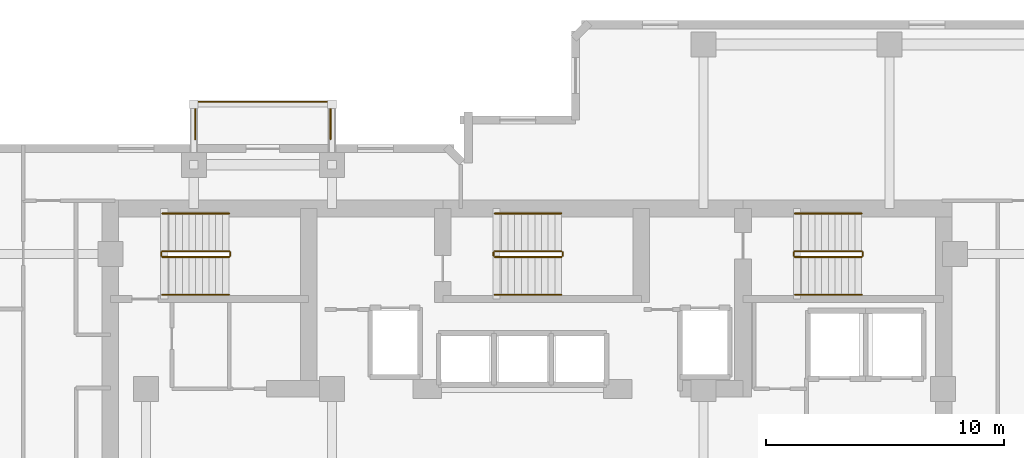
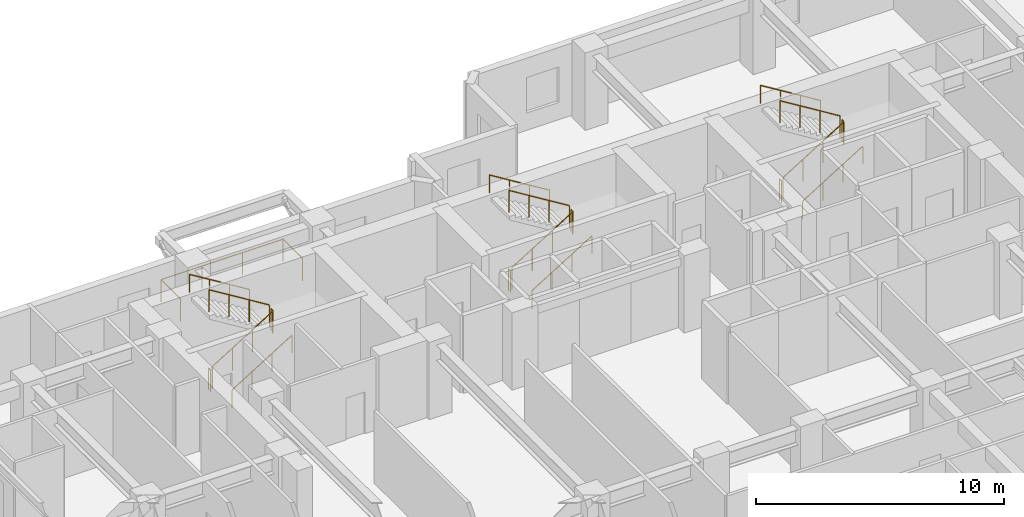
# One storey, part 9 of 9: 19 railings.
"""IFC4 building model written with IfcOpenShell, lengths in metres."""

import ifcopenshell
import ifcopenshell.guid

model = None  # the IFC model being written
_history = None  # IfcOwnerHistory: only IFC2X3 demands one
_inside = {}  # id of a spatial element -> (the spatial element, [elements in it])
_under = {}  # id of a project, library or spatial element -> (it, [spatial elements below it])
_declared = {}  # id of a project -> (the project, [libraries it declares])
_typed = {}  # id of a type object -> (the type object, [elements of that type])
_made_of = {}  # id of a material, layer set ... -> (it, [elements and type objects made of it])


def new_model(schema):
    """Start an empty IFC model of exactly this schema.

    Asked for "IFC4X3", IfcOpenShell would pick the latest addendum, in which some entities
    have other attributes; the version numbers below select the first issue.
    IFC2X3 requires an IfcOwnerHistory on every rooted entity: one is made here for all.
    """
    global model, _history
    if schema == "IFC4X3":
        model = ifcopenshell.file(schema_version=(4, 3, 0, 0))
    else:
        model = ifcopenshell.file(schema=schema)
    _inside.clear()
    _under.clear()
    _declared.clear()
    _typed.clear()
    _made_of.clear()
    _history = None
    if model.schema == "IFC2X3":
        org = make("IfcOrganization", Name="unknown")
        user = make(
            "IfcPersonAndOrganization",
            ThePerson=make("IfcPerson", FamilyName="unknown"),
            TheOrganization=org,
        )
        app = make(
            "IfcApplication",
            ApplicationDeveloper=org,
            Version="unknown",
            ApplicationFullName="unknown",
            ApplicationIdentifier="unknown",
        )
        _history = make(
            "IfcOwnerHistory",
            OwningUser=user,
            OwningApplication=app,
            ChangeAction="ADDED",
            CreationDate=0,
        )
    return model


def make(cls, **values):
    """One entity of the class cls with the attributes given. An attribute that is None is left unset."""
    return model.create_entity(
        cls, **{name: value for name, value in values.items() if value is not None}
    )


def rooted(cls, **values):
    """An entity with a GlobalId (a new one), such as an element, a storey or a relation."""
    return make(cls, GlobalId=ifcopenshell.guid.new(), OwnerHistory=_history, **values)


def si_unit(unit_type, name, prefix=None):
    """IfcSIUnit, for example si_unit("LENGTHUNIT", "METRE", prefix="MILLI")."""
    return make("IfcSIUnit", UnitType=unit_type, Prefix=prefix, Name=name)


def assignment(units):
    """IfcUnitAssignment: the units of a project."""
    return None if units is None else make("IfcUnitAssignment", Units=units)


def point(xyz):
    """IfcCartesianPoint."""
    return None if xyz is None else make("IfcCartesianPoint", Coordinates=xyz)


def direction(xyz):
    """IfcDirection."""
    return None if xyz is None else make("IfcDirection", DirectionRatios=xyz)


def frame(location, z_axis=None, x_axis=None):
    """IfcAxis2Placement3D, a coordinate frame: its origin and axes. An axis left out is left unset."""
    return make(
        "IfcAxis2Placement3D",
        Location=point(location),
        Axis=direction(z_axis),
        RefDirection=direction(x_axis),
    )


def frame_2d(location, x_axis=None):
    """IfcAxis2Placement2D, a coordinate frame in the plane: its origin and x axis."""
    return make(
        "IfcAxis2Placement2D", Location=point(location), RefDirection=direction(x_axis)
    )


def origin():
    """The frame at (0, 0, 0) with its axes left unset."""
    return frame((0.0, 0.0, 0.0))


def origin_2d():
    """The frame at (0, 0) in the plane with its x axis left unset."""
    return frame_2d((0.0, 0.0))


def place(relative_to, where):
    """IfcLocalPlacement: puts the frame where relative to a parent placement (None: the world)."""
    return make(
        "IfcLocalPlacement", PlacementRelTo=relative_to, RelativePlacement=where
    )


def context(
    kind, dimensions, precision=None, world=None, true_north=None, identifier=None
):
    """IfcGeometricRepresentationContext, for example the 3D "Model" context."""
    return make(
        "IfcGeometricRepresentationContext",
        ContextIdentifier=identifier,
        ContextType=kind,
        CoordinateSpaceDimension=dimensions,
        Precision=precision,
        WorldCoordinateSystem=world,
        TrueNorth=true_north,
    )


def subcontext(parent, identifier, kind, view, scale=None):
    """IfcGeometricRepresentationSubContext, for example "Body" below "Model"."""
    return make(
        "IfcGeometricRepresentationSubContext",
        ContextIdentifier=identifier,
        ContextType=kind,
        ParentContext=parent,
        TargetScale=scale,
        TargetView=view,
    )


def project(units=None, contexts=None):
    """IfcProject with its units and contexts."""
    return rooted(
        "IfcProject",
        Name="project",
        RepresentationContexts=contexts,
        UnitsInContext=assignment(units),
    )


def spatial(cls, under=None, at=None, **own):
    """A site, building, storey or space (cls), placed at a placement, below another one or the project."""
    s = rooted(cls, ObjectPlacement=at, **own)
    if under is not None:
        _under.setdefault(under.id(), (under, []))[1].append(s)
    return s


def profile(cls, at=None, kind="AREA", **sizes):
    """A parametric profile (cls). Its sizes go by their IFC names, for example OverallWidth=200.0."""
    return make(cls, ProfileType=kind, Position=at, **sizes)


def circle(**sizes):
    """IfcCircleProfileDef."""
    return profile("IfcCircleProfileDef", **sizes)


def extrude(swept, where, along, depth):
    """IfcExtrudedAreaSolid: the profile swept, set in the frame where, extruded along a direction by depth."""
    return make(
        "IfcExtrudedAreaSolid",
        SweptArea=swept,
        Position=where,
        ExtrudedDirection=direction(along),
        Depth=depth,
    )


def shape(context_of_items, identifier, shape_type, items):
    """IfcShapeRepresentation: the items that make up one representation, for example the "Body"."""
    return make(
        "IfcShapeRepresentation",
        ContextOfItems=context_of_items,
        RepresentationIdentifier=identifier,
        RepresentationType=shape_type,
        Items=items,
    )


def material(Name=None, Category=None):
    """IfcMaterial."""
    return make("IfcMaterial", Name=Name, Category=Category)


def made_of(thing, what):
    """Note that an element or type object is made of a material, layer set ...; save() writes the relation."""
    if what is not None:
        _made_of.setdefault(what.id(), (what, []))[1].append(thing)
    return thing


def type_object(cls, material=None, **own):
    """A type object (cls), such as IfcWallType, which elements share."""
    return made_of(rooted(cls, **own), material)


def element(
    cls,
    number,
    at=None,
    inside=None,
    cuts=None,
    type_object=None,
    material=None,
    context=None,
    identifier="Body",
    shape_type=None,
    held_by="IfcProductDefinitionShape",
    body=None,
    shapes=None,
    **own,
):
    """One element of the class cls, such as IfcWall. Its Tag is "e" and its number.

    at: its placement. inside: the storey or other place that contains it. cuts: it is an
    opening in that element (IfcRelVoidsElement). A single representation is given by context,
    identifier, shape_type and body (its items); several are given by shapes. held_by: the class
    of the entity that holds the representations. save() writes the other relations.
    """
    e = rooted(cls, Tag="e%d" % number, ObjectPlacement=at, **own)
    if body is not None:
        shapes = [shape(context, identifier, shape_type, body)]
    if shapes is not None:
        e.Representation = make(held_by, Representations=shapes)
    if inside is not None:
        _inside.setdefault(inside.id(), (inside, []))[1].append(e)
    if cuts is not None:
        rooted(
            "IfcRelVoidsElement", RelatingBuildingElement=cuts, RelatedOpeningElement=e
        )
    if type_object is not None:
        _typed.setdefault(type_object.id(), (type_object, []))[1].append(e)
    return made_of(e, material)


def aggregate(whole, parts):
    """IfcRelAggregates: a whole, such as a stair, and the parts it consists of."""
    return rooted("IfcRelAggregates", RelatingObject=whole, RelatedObjects=parts)


def save(model, path):
    """Write the relations noted so far, then the file.

    IfcRelAggregates (storeys below a building ...), IfcRelContainedInSpatialStructure (elements
    in a storey), IfcRelDefinesByType, IfcRelAssociatesMaterial and IfcRelDeclares: one each for
    every whole, place, type object, material and project.
    """
    for whole, parts in _under.values():
        aggregate(whole, parts)
    for where, things in _inside.values():
        rooted(
            "IfcRelContainedInSpatialStructure",
            RelatedElements=things,
            RelatingStructure=where,
        )
    for kind, things in _typed.values():
        rooted("IfcRelDefinesByType", RelatedObjects=things, RelatingType=kind)
    for what, things in _made_of.values():
        rooted("IfcRelAssociatesMaterial", RelatedObjects=things, RelatingMaterial=what)
    for by, libraries in _declared.values():
        rooted("IfcRelDeclares", RelatingContext=by, RelatedDefinitions=libraries)
    model.write(path)


model = new_model("IFC4")

# Units and contexts
model_context = context("Model", 3, precision=1e-05, world=origin(), true_north=direction((0.0, 1.0)))
body_context = subcontext(model_context, "Body", "Model", "MODEL_VIEW")
ifc_project = project(units=[si_unit("LENGTHUNIT", "METRE"), si_unit("AREAUNIT", "SQUARE_METRE"), si_unit("VOLUMEUNIT", "CUBIC_METRE"), si_unit("PLANEANGLEUNIT", "RADIAN"), si_unit("MASSUNIT", "GRAM", prefix="KILO")], contexts=[model_context])

# Site, building, storey
site_placement = place(None, origin())
site = spatial("IfcSite", under=ifc_project, at=site_placement, CompositionType="ELEMENT")
building_placement = place(site_placement, origin())
building = spatial("IfcBuilding", under=site, at=building_placement, Name="Kestravale Grand Hotel", CompositionType="ELEMENT")
storey_placement = place(building_placement, frame((0.0, 0.0, 176.39990234375)))
storey = spatial("IfcBuildingStorey", under=building, at=storey_placement, Name="L44", CompositionType="ELEMENT", Elevation=176.39990234375)

# Railings
ifc_material_1 = material(Name="Champagne-bronze stainless steel and laminated glass guard", Category="steel")
railing_type_1 = type_object("IfcRailingType", Name="RL-EXT-1100", PredefinedType="GUARDRAIL", material=ifc_material_1)
railing_1_placement = place(storey_placement, frame((25.4599609375, 43.219970703125, 0.0)))
element("IfcRailing", 1, at=railing_1_placement, inside=storey, type_object=railing_type_1, Name="L44 outdoor terrace guard 1", PredefinedType="GUARDRAIL", context=body_context, shape_type="SweptSolid", body=[
    extrude(circle(Radius=0.02392578125, at=origin_2d()), frame((0.0, 0.0, 1.09619140625), z_axis=(0.0, 1.0, 0.0), x_axis=(-1.0, 0.0, 0.0)), (0.0, 0.0, 1.0), 1.570068359375),
    extrude(circle(Radius=0.02392578125, at=origin_2d()), frame((0.0, 1.570068359375, 1.09619140625), z_axis=(1.0, 0.0, 0.0), x_axis=(0.0, 1.0, 0.0)), (0.0, 0.0, 1.0), 5.679931640625),
    extrude(circle(Radius=0.02392578125, at=origin_2d()), frame((5.679931640625, 1.570068359375, 1.09619140625), z_axis=(0.0, -1.0, 0.0), x_axis=(1.0, 0.0, 0.0)), (0.0, 0.0, 1.0), 1.570068359375),
    extrude(circle(Radius=0.02099609375, at=origin_2d()), origin(), (0.0, 0.0, 1.0), 1.072021484375),
    extrude(circle(Radius=0.02099609375, at=origin_2d()), frame((0.0, 1.570068359375, 0.0)), (0.0, 0.0, 1.0), 1.072021484375),
    extrude(circle(Radius=0.02099609375, at=origin_2d()), frame((1.893310546875, 1.570068359375, 0.0)), (0.0, 0.0, 1.0), 1.072021484375),
    extrude(circle(Radius=0.02099609375, at=origin_2d()), frame((3.78662109375, 1.570068359375, 0.0)), (0.0, 0.0, 1.0), 1.072021484375),
    extrude(circle(Radius=0.02099609375, at=origin_2d()), frame((5.679931640625, 1.570068359375, 0.0)), (0.0, 0.0, 1.0), 1.072021484375),
    extrude(circle(Radius=0.02099609375, at=origin_2d()), frame((5.679931640625, 0.0, 0.0)), (0.0, 0.0, 1.0), 1.072021484375),
])
ifc_material_2 = material(Name="Painted tubular steel stair well guard", Category="steel")
railing_type_2 = type_object("IfcRailingType", Name="RL-ST-GRD1100", PredefinedType="GUARDRAIL", material=ifc_material_2)
railing_2_placement = place(storey_placement, frame((24.080078125, 38.280029296875, 0.1728515625)))
element("IfcRailing", 2, at=railing_2_placement, inside=storey, type_object=railing_type_2, Name="L44 ST-1 stair guard 1", PredefinedType="GUARDRAIL", context=body_context, shape_type="SweptSolid", body=[
    extrude(circle(Radius=0.02392578125, at=origin_2d()), frame((0.0, 0.0, 1.076171875), z_axis=(0.851069175582, 0.0, 0.525053576669), x_axis=(0.0, 1.0, 0.0)), (0.0, 0.0, 1.0), 3.289794921875),
    extrude(circle(Radius=0.02099609375, at=origin_2d()), origin(), (0.0, 0.0, 1.0), 1.052001953125),
    extrude(circle(Radius=0.02099609375, at=origin_2d()), frame((0.933349609375, 0.0, 0.57568359375)), (0.0, 0.0, 1.0), 1.052001953125),
    extrude(circle(Radius=0.02099609375, at=origin_2d()), frame((1.866455078125, 0.0, 1.151611328125)), (0.0, 0.0, 1.0), 1.052001953125),
    extrude(circle(Radius=0.02099609375, at=origin_2d()), frame((2.7998046875, 0.0, 1.727294921875)), (0.0, 0.0, 1.0), 1.052001953125),
])
railing_3_placement = place(storey_placement, frame((26.929931640625, 38.330078125, 1.900146484375)))
element("IfcRailing", 3, at=railing_3_placement, inside=storey, type_object=railing_type_2, Name="L44 ST-1 stair guard 2", PredefinedType="GUARDRAIL", context=body_context, shape_type="SweptSolid", body=[
    extrude(circle(Radius=0.02392578125, at=origin_2d()), frame((0.0, 0.0, 1.076171875), z_axis=(0.0, 1.0, 0.0), x_axis=(-1.0, 0.0, 0.0)), (0.0, 0.0, 1.0), 0.14990234375),
    extrude(circle(Radius=0.02099609375, at=origin_2d()), origin(), (0.0, 0.0, 1.0), 1.052001953125),
    extrude(circle(Radius=0.02099609375, at=origin_2d()), frame((0.0, 0.14990234375, 0.0)), (0.0, 0.0, 1.0), 1.052001953125),
])
railing_4_placement = place(storey_placement, frame((26.8798828125, 38.530029296875, 2.07275390625)))
element("IfcRailing", 4, at=railing_4_placement, inside=storey, type_object=railing_type_2, Name="L44 ST-1 stair guard 3", PredefinedType="GUARDRAIL", context=body_context, shape_type="SweptSolid", body=[
    extrude(circle(Radius=0.02392578125, at=origin_2d()), frame((0.0, 0.0, 1.076171875), z_axis=(-0.851069175582, 0.0, 0.525053576669), x_axis=(0.0, -1.0, 0.0)), (0.0, 0.0, 1.0), 3.289794921875),
    extrude(circle(Radius=0.02099609375, at=origin_2d()), origin(), (0.0, 0.0, 1.0), 1.052001953125),
    extrude(circle(Radius=0.02099609375, at=origin_2d()), frame((-0.933349609375, 0.0, 0.57568359375)), (0.0, 0.0, 1.0), 1.052001953125),
    extrude(circle(Radius=0.02099609375, at=origin_2d()), frame((-1.866455078125, 0.0, 1.151611328125)), (0.0, 0.0, 1.0), 1.052001953125),
    extrude(circle(Radius=0.02099609375, at=origin_2d()), frame((-2.7998046875, 0.0, 1.727294921875)), (0.0, 0.0, 1.0), 1.052001953125),
])
railing_5_placement = place(storey_placement, frame((24.030029296875, 38.330078125, 0.0)))
element("IfcRailing", 5, at=railing_5_placement, inside=storey, type_object=railing_type_2, Name="L44 ST-1 stair guard 4", PredefinedType="GUARDRAIL", context=body_context, shape_type="SweptSolid", body=[
    extrude(circle(Radius=0.02392578125, at=origin_2d()), frame((0.0, 0.0, 1.076171875), z_axis=(0.0, 1.0, 0.0), x_axis=(-1.0, 0.0, 0.0)), (0.0, 0.0, 1.0), 0.14990234375),
    extrude(circle(Radius=0.02099609375, at=origin_2d()), origin(), (0.0, 0.0, 1.0), 1.052001953125),
    extrude(circle(Radius=0.02099609375, at=origin_2d()), frame((0.0, 0.14990234375, 0.0)), (0.0, 0.0, 1.0), 1.052001953125),
])
railing_6_placement = place(storey_placement, frame((38.030029296875, 38.280029296875, 0.1728515625)))
element("IfcRailing", 6, at=railing_6_placement, inside=storey, type_object=railing_type_2, Name="L44 ST-2 stair guard 1", PredefinedType="GUARDRAIL", context=body_context, shape_type="SweptSolid", body=[
    extrude(circle(Radius=0.02392578125, at=origin_2d()), frame((0.0, 0.0, 1.076171875), z_axis=(0.851089632645, 0.0, 0.525020415988), x_axis=(0.0, 1.0, 0.0)), (0.0, 0.0, 1.0), 3.2900390625),
    extrude(circle(Radius=0.02099609375, at=origin_2d()), origin(), (0.0, 0.0, 1.0), 1.052001953125),
    extrude(circle(Radius=0.02099609375, at=origin_2d()), frame((0.933349609375, 0.0, 0.57568359375)), (0.0, 0.0, 1.0), 1.052001953125),
    extrude(circle(Radius=0.02099609375, at=origin_2d()), frame((1.86669921875, 0.0, 1.151611328125)), (0.0, 0.0, 1.0), 1.052001953125),
    extrude(circle(Radius=0.02099609375, at=origin_2d()), frame((2.800048828125, 0.0, 1.727294921875)), (0.0, 0.0, 1.0), 1.052001953125),
])
railing_7_placement = place(storey_placement, frame((40.8798828125, 38.330078125, 1.900146484375)))
element("IfcRailing", 7, at=railing_7_placement, inside=storey, type_object=railing_type_2, Name="L44 ST-2 stair guard 2", PredefinedType="GUARDRAIL", context=body_context, shape_type="SweptSolid", body=[
    extrude(circle(Radius=0.02392578125, at=origin_2d()), frame((0.0, 0.0, 1.076171875), z_axis=(0.0, 1.0, 0.0), x_axis=(-1.0, 0.0, 0.0)), (0.0, 0.0, 1.0), 0.14990234375),
    extrude(circle(Radius=0.02099609375, at=origin_2d()), origin(), (0.0, 0.0, 1.0), 1.052001953125),
    extrude(circle(Radius=0.02099609375, at=origin_2d()), frame((0.0, 0.14990234375, 0.0)), (0.0, 0.0, 1.0), 1.052001953125),
])
railing_8_placement = place(storey_placement, frame((40.830078125, 38.530029296875, 2.07275390625)))
element("IfcRailing", 8, at=railing_8_placement, inside=storey, type_object=railing_type_2, Name="L44 ST-2 stair guard 3", PredefinedType="GUARDRAIL", context=body_context, shape_type="SweptSolid", body=[
    extrude(circle(Radius=0.02392578125, at=origin_2d()), frame((0.0, 0.0, 1.076171875), z_axis=(-0.851089632645, 0.0, 0.525020415988), x_axis=(0.0, -1.0, 0.0)), (0.0, 0.0, 1.0), 3.2900390625),
    extrude(circle(Radius=0.02099609375, at=origin_2d()), origin(), (0.0, 0.0, 1.0), 1.052001953125),
    extrude(circle(Radius=0.02099609375, at=origin_2d()), frame((-0.933349609375, 0.0, 0.57568359375)), (0.0, 0.0, 1.0), 1.052001953125),
    extrude(circle(Radius=0.02099609375, at=origin_2d()), frame((-1.86669921875, 0.0, 1.151611328125)), (0.0, 0.0, 1.0), 1.052001953125),
    extrude(circle(Radius=0.02099609375, at=origin_2d()), frame((-2.800048828125, 0.0, 1.727294921875)), (0.0, 0.0, 1.0), 1.052001953125),
])
railing_9_placement = place(storey_placement, frame((37.97998046875, 38.330078125, 0.0)))
element("IfcRailing", 9, at=railing_9_placement, inside=storey, type_object=railing_type_2, Name="L44 ST-2 stair guard 4", PredefinedType="GUARDRAIL", context=body_context, shape_type="SweptSolid", body=[
    extrude(circle(Radius=0.02392578125, at=origin_2d()), frame((0.0, 0.0, 1.076171875), z_axis=(0.0, 1.0, 0.0), x_axis=(-1.0, 0.0, 0.0)), (0.0, 0.0, 1.0), 0.14990234375),
    extrude(circle(Radius=0.02099609375, at=origin_2d()), origin(), (0.0, 0.0, 1.0), 1.052001953125),
    extrude(circle(Radius=0.02099609375, at=origin_2d()), frame((0.0, 0.14990234375, 0.0)), (0.0, 0.0, 1.0), 1.052001953125),
])
railing_10_placement = place(storey_placement, frame((50.6298828125, 38.280029296875, 0.1728515625)))
element("IfcRailing", 10, at=railing_10_placement, inside=storey, type_object=railing_type_2, Name="L44 ST-3 stair guard 1", PredefinedType="GUARDRAIL", context=body_context, shape_type="SweptSolid", body=[
    extrude(circle(Radius=0.02392578125, at=origin_2d()), frame((0.0, 0.0, 1.076171875), z_axis=(0.851089632645, 0.0, 0.525020415988), x_axis=(0.0, 1.0, 0.0)), (0.0, 0.0, 1.0), 3.2900390625),
    extrude(circle(Radius=0.02099609375, at=origin_2d()), origin(), (0.0, 0.0, 1.0), 1.052001953125),
    extrude(circle(Radius=0.02099609375, at=origin_2d()), frame((0.933349609375, 0.0, 0.57568359375)), (0.0, 0.0, 1.0), 1.052001953125),
    extrude(circle(Radius=0.02099609375, at=origin_2d()), frame((1.86669921875, 0.0, 1.151611328125)), (0.0, 0.0, 1.0), 1.052001953125),
    extrude(circle(Radius=0.02099609375, at=origin_2d()), frame((2.800048828125, 0.0, 1.727294921875)), (0.0, 0.0, 1.0), 1.052001953125),
])
railing_11_placement = place(storey_placement, frame((53.47998046875, 38.330078125, 1.900146484375)))
element("IfcRailing", 11, at=railing_11_placement, inside=storey, type_object=railing_type_2, Name="L44 ST-3 stair guard 2", PredefinedType="GUARDRAIL", context=body_context, shape_type="SweptSolid", body=[
    extrude(circle(Radius=0.02392578125, at=origin_2d()), frame((0.0, 0.0, 1.076171875), z_axis=(0.0, 1.0, 0.0), x_axis=(-1.0, 0.0, 0.0)), (0.0, 0.0, 1.0), 0.14990234375),
    extrude(circle(Radius=0.02099609375, at=origin_2d()), origin(), (0.0, 0.0, 1.0), 1.052001953125),
    extrude(circle(Radius=0.02099609375, at=origin_2d()), frame((0.0, 0.14990234375, 0.0)), (0.0, 0.0, 1.0), 1.052001953125),
])
railing_12_placement = place(storey_placement, frame((53.429931640625, 38.530029296875, 2.07275390625)))
element("IfcRailing", 12, at=railing_12_placement, inside=storey, type_object=railing_type_2, Name="L44 ST-3 stair guard 3", PredefinedType="GUARDRAIL", context=body_context, shape_type="SweptSolid", body=[
    extrude(circle(Radius=0.02392578125, at=origin_2d()), frame((0.0, 0.0, 1.076171875), z_axis=(-0.851089632645, 0.0, 0.525020415988), x_axis=(0.0, -1.0, 0.0)), (0.0, 0.0, 1.0), 3.2900390625),
    extrude(circle(Radius=0.02099609375, at=origin_2d()), origin(), (0.0, 0.0, 1.0), 1.052001953125),
    extrude(circle(Radius=0.02099609375, at=origin_2d()), frame((-0.933349609375, 0.0, 0.57568359375)), (0.0, 0.0, 1.0), 1.052001953125),
    extrude(circle(Radius=0.02099609375, at=origin_2d()), frame((-1.86669921875, 0.0, 1.151611328125)), (0.0, 0.0, 1.0), 1.052001953125),
    extrude(circle(Radius=0.02099609375, at=origin_2d()), frame((-2.800048828125, 0.0, 1.727294921875)), (0.0, 0.0, 1.0), 1.052001953125),
])
railing_13_placement = place(storey_placement, frame((50.580078125, 38.330078125, 0.0)))
element("IfcRailing", 13, at=railing_13_placement, inside=storey, type_object=railing_type_2, Name="L44 ST-3 stair guard 4", PredefinedType="GUARDRAIL", context=body_context, shape_type="SweptSolid", body=[
    extrude(circle(Radius=0.02392578125, at=origin_2d()), frame((0.0, 0.0, 1.076171875), z_axis=(0.0, 1.0, 0.0), x_axis=(-1.0, 0.0, 0.0)), (0.0, 0.0, 1.0), 0.14990234375),
    extrude(circle(Radius=0.02099609375, at=origin_2d()), origin(), (0.0, 0.0, 1.0), 1.052001953125),
    extrude(circle(Radius=0.02099609375, at=origin_2d()), frame((0.0, 0.14990234375, 0.0)), (0.0, 0.0, 1.0), 1.052001953125),
])
ifc_material_3 = material(Name="Brushed stainless steel wall handrail", Category="steel")
railing_type_3 = type_object("IfcRailingType", Name="RL-ST-HND900", PredefinedType="HANDRAIL", material=ifc_material_3)
railing_14_placement = place(storey_placement, frame((24.080078125, 36.699951171875, 0.1728515625)))
element("IfcRailing", 14, at=railing_14_placement, inside=storey, type_object=railing_type_3, Name="L44 ST-1 stair handrail 1", PredefinedType="HANDRAIL", context=body_context, shape_type="SweptSolid", body=[
    extrude(circle(Radius=0.02392578125, at=origin_2d()), frame((0.0, 0.0, 0.8759765625), z_axis=(0.851069175582, 0.0, 0.525053576669), x_axis=(0.0, 1.0, 0.0)), (0.0, 0.0, 1.0), 3.289794921875),
    extrude(circle(Radius=0.02099609375, at=origin_2d()), origin(), (0.0, 0.0, 1.0), 0.851806640625),
    extrude(circle(Radius=0.02099609375, at=origin_2d()), frame((0.933349609375, 0.0, 0.57568359375)), (0.0, 0.0, 1.0), 0.851806640625),
    extrude(circle(Radius=0.02099609375, at=origin_2d()), frame((1.866455078125, 0.0, 1.151611328125)), (0.0, 0.0, 1.0), 0.851806640625),
    extrude(circle(Radius=0.02099609375, at=origin_2d()), frame((2.7998046875, 0.0, 1.727294921875)), (0.0, 0.0, 1.0), 0.851806640625),
])
railing_15_placement = place(storey_placement, frame((26.8798828125, 40.110107421875, 2.07275390625)))
element("IfcRailing", 15, at=railing_15_placement, inside=storey, type_object=railing_type_3, Name="L44 ST-1 stair handrail 2", PredefinedType="HANDRAIL", context=body_context, shape_type="SweptSolid", body=[
    extrude(circle(Radius=0.02392578125, at=origin_2d()), frame((0.0, 0.0, 0.8759765625), z_axis=(-0.851069175582, 0.0, 0.525053576669), x_axis=(0.0, -1.0, 0.0)), (0.0, 0.0, 1.0), 3.289794921875),
    extrude(circle(Radius=0.02099609375, at=origin_2d()), origin(), (0.0, 0.0, 1.0), 0.851806640625),
    extrude(circle(Radius=0.02099609375, at=origin_2d()), frame((-0.933349609375, 0.0, 0.57568359375)), (0.0, 0.0, 1.0), 0.851806640625),
    extrude(circle(Radius=0.02099609375, at=origin_2d()), frame((-1.866455078125, 0.0, 1.151611328125)), (0.0, 0.0, 1.0), 0.851806640625),
    extrude(circle(Radius=0.02099609375, at=origin_2d()), frame((-2.7998046875, 0.0, 1.727294921875)), (0.0, 0.0, 1.0), 0.851806640625),
])
railing_16_placement = place(storey_placement, frame((38.030029296875, 36.699951171875, 0.1728515625)))
element("IfcRailing", 16, at=railing_16_placement, inside=storey, type_object=railing_type_3, Name="L44 ST-2 stair handrail 1", PredefinedType="HANDRAIL", context=body_context, shape_type="SweptSolid", body=[
    extrude(circle(Radius=0.02392578125, at=origin_2d()), frame((0.0, 0.0, 0.8759765625), z_axis=(0.851089632645, 0.0, 0.525020415988), x_axis=(0.0, 1.0, 0.0)), (0.0, 0.0, 1.0), 3.2900390625),
    extrude(circle(Radius=0.02099609375, at=origin_2d()), origin(), (0.0, 0.0, 1.0), 0.851806640625),
    extrude(circle(Radius=0.02099609375, at=origin_2d()), frame((0.933349609375, 0.0, 0.57568359375)), (0.0, 0.0, 1.0), 0.851806640625),
    extrude(circle(Radius=0.02099609375, at=origin_2d()), frame((1.86669921875, 0.0, 1.151611328125)), (0.0, 0.0, 1.0), 0.851806640625),
    extrude(circle(Radius=0.02099609375, at=origin_2d()), frame((2.800048828125, 0.0, 1.727294921875)), (0.0, 0.0, 1.0), 0.851806640625),
])
railing_17_placement = place(storey_placement, frame((40.830078125, 40.110107421875, 2.07275390625)))
element("IfcRailing", 17, at=railing_17_placement, inside=storey, type_object=railing_type_3, Name="L44 ST-2 stair handrail 2", PredefinedType="HANDRAIL", context=body_context, shape_type="SweptSolid", body=[
    extrude(circle(Radius=0.02392578125, at=origin_2d()), frame((0.0, 0.0, 0.8759765625), z_axis=(-0.851089632645, 0.0, 0.525020415988), x_axis=(0.0, -1.0, 0.0)), (0.0, 0.0, 1.0), 3.2900390625),
    extrude(circle(Radius=0.02099609375, at=origin_2d()), origin(), (0.0, 0.0, 1.0), 0.851806640625),
    extrude(circle(Radius=0.02099609375, at=origin_2d()), frame((-0.933349609375, 0.0, 0.57568359375)), (0.0, 0.0, 1.0), 0.851806640625),
    extrude(circle(Radius=0.02099609375, at=origin_2d()), frame((-1.86669921875, 0.0, 1.151611328125)), (0.0, 0.0, 1.0), 0.851806640625),
    extrude(circle(Radius=0.02099609375, at=origin_2d()), frame((-2.800048828125, 0.0, 1.727294921875)), (0.0, 0.0, 1.0), 0.851806640625),
])
railing_18_placement = place(storey_placement, frame((50.6298828125, 36.699951171875, 0.1728515625)))
element("IfcRailing", 18, at=railing_18_placement, inside=storey, type_object=railing_type_3, Name="L44 ST-3 stair handrail 1", PredefinedType="HANDRAIL", context=body_context, shape_type="SweptSolid", body=[
    extrude(circle(Radius=0.02392578125, at=origin_2d()), frame((0.0, 0.0, 0.8759765625), z_axis=(0.851089632645, 0.0, 0.525020415988), x_axis=(0.0, 1.0, 0.0)), (0.0, 0.0, 1.0), 3.2900390625),
    extrude(circle(Radius=0.02099609375, at=origin_2d()), origin(), (0.0, 0.0, 1.0), 0.851806640625),
    extrude(circle(Radius=0.02099609375, at=origin_2d()), frame((0.933349609375, 0.0, 0.57568359375)), (0.0, 0.0, 1.0), 0.851806640625),
    extrude(circle(Radius=0.02099609375, at=origin_2d()), frame((1.86669921875, 0.0, 1.151611328125)), (0.0, 0.0, 1.0), 0.851806640625),
    extrude(circle(Radius=0.02099609375, at=origin_2d()), frame((2.800048828125, 0.0, 1.727294921875)), (0.0, 0.0, 1.0), 0.851806640625),
])
railing_19_placement = place(storey_placement, frame((53.429931640625, 40.110107421875, 2.07275390625)))
element("IfcRailing", 19, at=railing_19_placement, inside=storey, type_object=railing_type_3, Name="L44 ST-3 stair handrail 2", PredefinedType="HANDRAIL", context=body_context, shape_type="SweptSolid", body=[
    extrude(circle(Radius=0.02392578125, at=origin_2d()), frame((0.0, 0.0, 0.8759765625), z_axis=(-0.851089632645, 0.0, 0.525020415988), x_axis=(0.0, -1.0, 0.0)), (0.0, 0.0, 1.0), 3.2900390625),
    extrude(circle(Radius=0.02099609375, at=origin_2d()), origin(), (0.0, 0.0, 1.0), 0.851806640625),
    extrude(circle(Radius=0.02099609375, at=origin_2d()), frame((-0.933349609375, 0.0, 0.57568359375)), (0.0, 0.0, 1.0), 0.851806640625),
    extrude(circle(Radius=0.02099609375, at=origin_2d()), frame((-1.86669921875, 0.0, 1.151611328125)), (0.0, 0.0, 1.0), 0.851806640625),
    extrude(circle(Radius=0.02099609375, at=origin_2d()), frame((-2.800048828125, 0.0, 1.727294921875)), (0.0, 0.0, 1.0), 0.851806640625),
])

save(model, "model.ifc")
